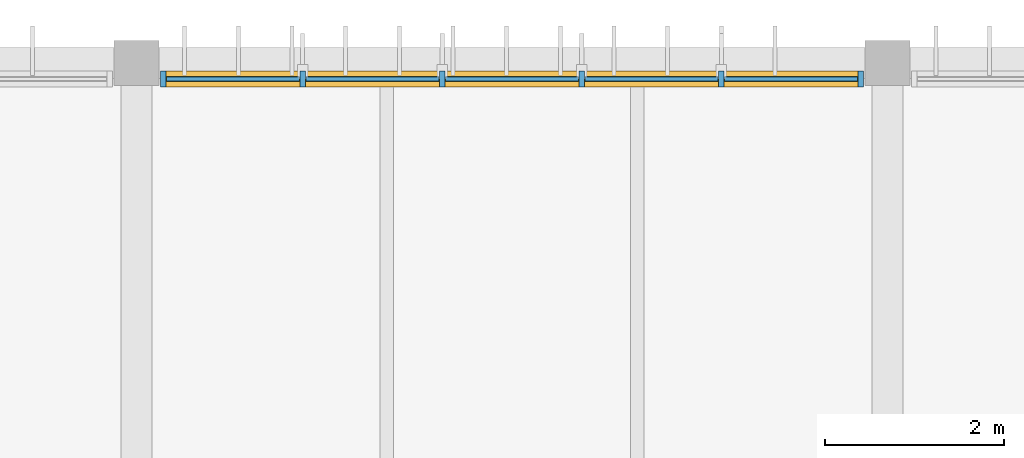
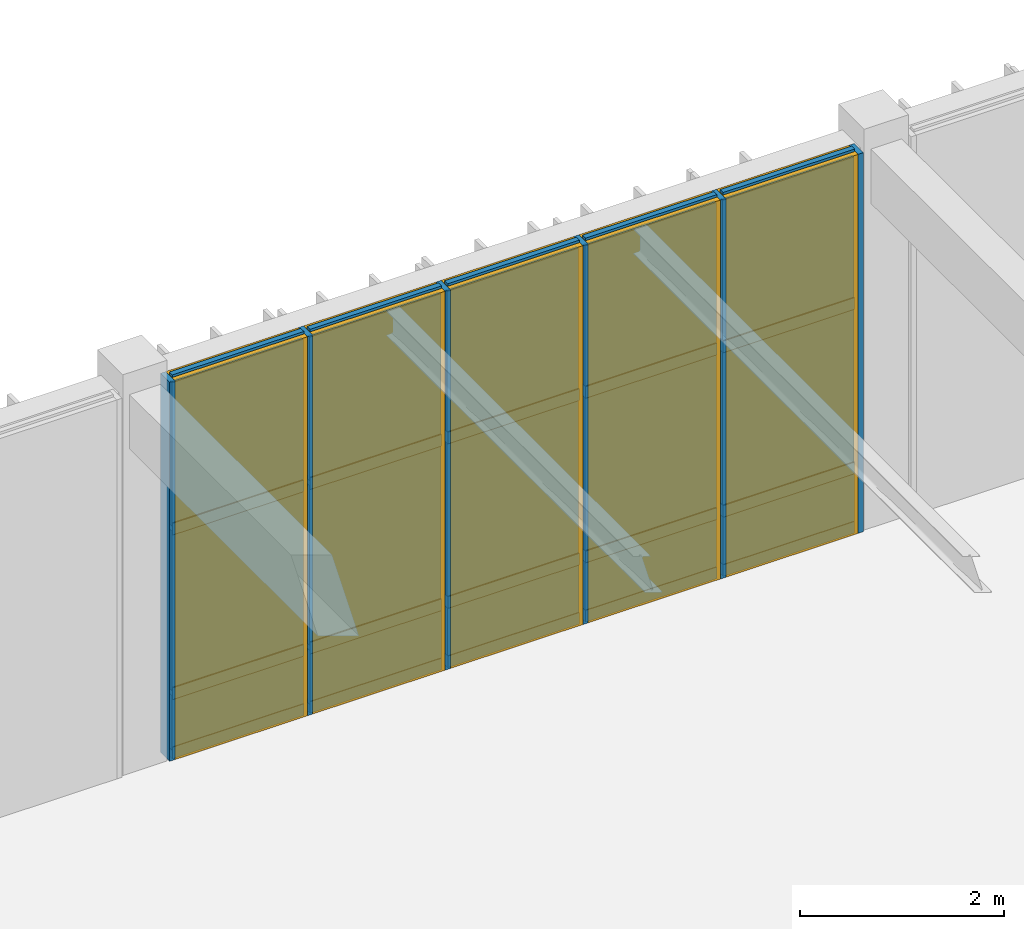
# One storey, part 104 of 122: 26 members, 15 plates, 1 curtain wall.
"""IFC4 building model written with IfcOpenShell, lengths in metres."""

from ifc_helpers import new_model, si_unit, direction, frame, frame_2d, origin, origin_2d, place, context, subcontext, project, spatial, rectangle, extrude, material, layer, layer_set, material_profile, profile_set, type_object, element, aggregate, save


model = new_model("IFC4")

# Units and contexts
model_context = context("Model", 3, precision=1e-05, world=origin(), true_north=direction((0.0, 1.0)))
body_context = subcontext(model_context, "Body", "Model", "MODEL_VIEW")
ifc_project = project(units=[si_unit("LENGTHUNIT", "METRE"), si_unit("AREAUNIT", "SQUARE_METRE"), si_unit("VOLUMEUNIT", "CUBIC_METRE"), si_unit("PLANEANGLEUNIT", "RADIAN"), si_unit("MASSUNIT", "GRAM", prefix="KILO")], contexts=[model_context])

# Member
ifc_material_1 = material(Name="Anodised Bronze Aluminium 6063-T6", Category="aluminium")
ifc_material_profile_1 = material_profile(ifc_material_1, rectangle(XDim=0.06005859375, YDim=0.179931640625, at=origin_2d()), Name="ALU MULLION 60x180")
ifc_profile_set_1 = profile_set([ifc_material_profile_1], Name="Anodised Bronze Aluminium 6063-T6")
member_type_1 = type_object("IfcMemberType", Name="Curtain-Wall Primary Mullion 60x180", PredefinedType="MULLION", material=ifc_profile_set_1)
site_placement = place(None, origin())
building_placement = place(site_placement, origin())
storey_placement = place(building_placement, origin())
member_1_placement = place(storey_placement, frame((134.10009765625, 111.6201171875, 0.0), z_axis=(0.0, 0.0, 1.0), x_axis=(1.0, 0.0, 0.0)))
member_1 = element("IfcMember", 1, at=member_1_placement, type_object=member_type_1, Name="Mullion CWM-01 CW-V3-N3-L00-B2-M01", PredefinedType="MULLION", context=body_context, shape_type="SweptSolid", body=[
    extrude(rectangle(XDim=0.06005859375, YDim=0.179931640625, at=origin_2d()), origin(), (0.0, 0.0, 1.0), 4.5400390625),
])

member_2_placement = place(storey_placement, frame((135.659912109375, 111.6201171875, 0.0), z_axis=(0.0, 0.0, 1.0), x_axis=(1.0, 0.0, 0.0)))
member_2 = element("IfcMember", 2, at=member_2_placement, type_object=member_type_1, Name="Mullion CWM-01 CW-V3-N3-L00-B2-M02", PredefinedType="MULLION", context=body_context, shape_type="SweptSolid", body=[
    extrude(rectangle(XDim=0.06005859375, YDim=0.179931640625, at=origin_2d()), origin(), (0.0, 0.0, 1.0), 4.5400390625),
])

member_3_placement = place(storey_placement, frame((137.219970703125, 111.6201171875, 0.0), z_axis=(0.0, 0.0, 1.0), x_axis=(1.0, 0.0, 0.0)))
member_3 = element("IfcMember", 3, at=member_3_placement, type_object=member_type_1, Name="Mullion CWM-01 CW-V3-N3-L00-B2-M03", PredefinedType="MULLION", context=body_context, shape_type="SweptSolid", body=[
    extrude(rectangle(XDim=0.06005859375, YDim=0.179931640625, at=origin_2d()), origin(), (0.0, 0.0, 1.0), 4.5400390625),
])

member_4_placement = place(storey_placement, frame((138.780029296875, 111.6201171875, 0.0), z_axis=(0.0, 0.0, 1.0), x_axis=(1.0, 0.0, 0.0)))
member_4 = element("IfcMember", 4, at=member_4_placement, type_object=member_type_1, Name="Mullion CWM-01 CW-V3-N3-L00-B2-M04", PredefinedType="MULLION", context=body_context, shape_type="SweptSolid", body=[
    extrude(rectangle(XDim=0.06005859375, YDim=0.179931640625, at=origin_2d()), origin(), (0.0, 0.0, 1.0), 4.5400390625),
])

member_5_placement = place(storey_placement, frame((140.340087890625, 111.6201171875, 0.0), z_axis=(0.0, 0.0, 1.0), x_axis=(1.0, 0.0, 0.0)))
member_5 = element("IfcMember", 5, at=member_5_placement, type_object=member_type_1, Name="Mullion CWM-01 CW-V3-N3-L00-B2-M05", PredefinedType="MULLION", context=body_context, shape_type="SweptSolid", body=[
    extrude(rectangle(XDim=0.06005859375, YDim=0.179931640625, at=origin_2d()), origin(), (0.0, 0.0, 1.0), 4.5400390625),
])

member_6_placement = place(storey_placement, frame((141.89990234375, 111.6201171875, 0.0), z_axis=(0.0, 0.0, 1.0), x_axis=(1.0, 0.0, 0.0)))
member_6 = element("IfcMember", 6, at=member_6_placement, type_object=member_type_1, Name="Mullion CWM-01 CW-V3-N3-L00-B2-M06", PredefinedType="MULLION", context=body_context, shape_type="SweptSolid", body=[
    extrude(rectangle(XDim=0.06005859375, YDim=0.179931640625, at=origin_2d()), origin(), (0.0, 0.0, 1.0), 4.5400390625),
])

ifc_material_profile_2 = material_profile(ifc_material_1, rectangle(XDim=0.06005859375, YDim=0.139892578125, at=origin_2d()), Name="ALU TRANSOM 60x140")
ifc_profile_set_2 = profile_set([ifc_material_profile_2], Name="Anodised Bronze Aluminium 6063-T6")
member_type_2 = type_object("IfcMemberType", Name="Curtain-Wall Transom 60x140", PredefinedType="USERDEFINED", material=ifc_profile_set_2)
member_7_placement = place(storey_placement, frame((134.135009765625, 111.6201171875, 0.0400390625), z_axis=(1.0, 0.0, 0.0), x_axis=(0.0, 1.0, 0.0)))
member_7 = element("IfcMember", 7, at=member_7_placement, type_object=member_type_2, Name="Transom CWT-01 CW-V3-N3-L00-B2-T01.1", ObjectType="TRANSOM", PredefinedType="USERDEFINED", context=body_context, shape_type="SweptSolid", body=[
    extrude(rectangle(XDim=0.06005859375, YDim=0.139892578125, at=origin_2d()), origin(), (0.0, 0.0, 1.0), 1.489990234375),
])

member_8_placement = place(storey_placement, frame((134.135009765625, 111.6201171875, 0.75), z_axis=(1.0, 0.0, 0.0), x_axis=(0.0, 1.0, 0.0)))
member_8 = element("IfcMember", 8, at=member_8_placement, type_object=member_type_2, Name="Transom CWT-01 CW-V3-N3-L00-B2-T01.2", ObjectType="TRANSOM", PredefinedType="USERDEFINED", context=body_context, shape_type="SweptSolid", body=[
    extrude(rectangle(XDim=0.06005859375, YDim=0.139892578125, at=origin_2d()), origin(), (0.0, 0.0, 1.0), 1.489990234375),
])

member_9_placement = place(storey_placement, frame((134.135009765625, 111.6201171875, 2.720703125), z_axis=(1.0, 0.0, 0.0), x_axis=(0.0, 1.0, 0.0)))
member_9 = element("IfcMember", 9, at=member_9_placement, type_object=member_type_2, Name="Transom CWT-01 CW-V3-N3-L00-B2-T01.3", ObjectType="TRANSOM", PredefinedType="USERDEFINED", context=body_context, shape_type="SweptSolid", body=[
    extrude(rectangle(XDim=0.06005859375, YDim=0.139892578125, at=origin_2d()), origin(), (0.0, 0.0, 1.0), 1.489990234375),
])

member_10_placement = place(storey_placement, frame((134.135009765625, 111.6201171875, 4.5), z_axis=(1.0, 0.0, 0.0), x_axis=(0.0, 1.0, 0.0)))
member_10 = element("IfcMember", 10, at=member_10_placement, type_object=member_type_2, Name="Transom CWT-01 CW-V3-N3-L00-B2-T01.4", ObjectType="TRANSOM", PredefinedType="USERDEFINED", context=body_context, shape_type="SweptSolid", body=[
    extrude(rectangle(XDim=0.06005859375, YDim=0.139892578125, at=origin_2d()), origin(), (0.0, 0.0, 1.0), 1.489990234375),
])

member_11_placement = place(storey_placement, frame((135.695068359375, 111.6201171875, 0.0400390625), z_axis=(1.0, 0.0, 0.0), x_axis=(0.0, 1.0, 0.0)))
member_11 = element("IfcMember", 11, at=member_11_placement, type_object=member_type_2, Name="Transom CWT-01 CW-V3-N3-L00-B2-T02.1", ObjectType="TRANSOM", PredefinedType="USERDEFINED", context=body_context, shape_type="SweptSolid", body=[
    extrude(rectangle(XDim=0.06005859375, YDim=0.139892578125, at=origin_2d()), origin(), (0.0, 0.0, 1.0), 1.489990234375),
])

member_12_placement = place(storey_placement, frame((135.695068359375, 111.6201171875, 0.75), z_axis=(1.0, 0.0, 0.0), x_axis=(0.0, 1.0, 0.0)))
member_12 = element("IfcMember", 12, at=member_12_placement, type_object=member_type_2, Name="Transom CWT-01 CW-V3-N3-L00-B2-T02.2", ObjectType="TRANSOM", PredefinedType="USERDEFINED", context=body_context, shape_type="SweptSolid", body=[
    extrude(rectangle(XDim=0.06005859375, YDim=0.139892578125, at=origin_2d()), origin(), (0.0, 0.0, 1.0), 1.489990234375),
])

member_13_placement = place(storey_placement, frame((135.695068359375, 111.6201171875, 2.720703125), z_axis=(1.0, 0.0, 0.0), x_axis=(0.0, 1.0, 0.0)))
member_13 = element("IfcMember", 13, at=member_13_placement, type_object=member_type_2, Name="Transom CWT-01 CW-V3-N3-L00-B2-T02.3", ObjectType="TRANSOM", PredefinedType="USERDEFINED", context=body_context, shape_type="SweptSolid", body=[
    extrude(rectangle(XDim=0.06005859375, YDim=0.139892578125, at=origin_2d()), origin(), (0.0, 0.0, 1.0), 1.489990234375),
])

member_14_placement = place(storey_placement, frame((135.695068359375, 111.6201171875, 4.5), z_axis=(1.0, 0.0, 0.0), x_axis=(0.0, 1.0, 0.0)))
member_14 = element("IfcMember", 14, at=member_14_placement, type_object=member_type_2, Name="Transom CWT-01 CW-V3-N3-L00-B2-T02.4", ObjectType="TRANSOM", PredefinedType="USERDEFINED", context=body_context, shape_type="SweptSolid", body=[
    extrude(rectangle(XDim=0.06005859375, YDim=0.139892578125, at=origin_2d()), origin(), (0.0, 0.0, 1.0), 1.489990234375),
])

member_15_placement = place(storey_placement, frame((137.2548828125, 111.6201171875, 0.0400390625), z_axis=(1.0, 0.0, 0.0), x_axis=(0.0, 1.0, 0.0)))
member_15 = element("IfcMember", 15, at=member_15_placement, type_object=member_type_2, Name="Transom CWT-01 CW-V3-N3-L00-B2-T03.1", ObjectType="TRANSOM", PredefinedType="USERDEFINED", context=body_context, shape_type="SweptSolid", body=[
    extrude(rectangle(XDim=0.06005859375, YDim=0.139892578125, at=origin_2d()), origin(), (0.0, 0.0, 1.0), 1.490234375),
])

member_16_placement = place(storey_placement, frame((137.2548828125, 111.6201171875, 0.75), z_axis=(1.0, 0.0, 0.0), x_axis=(0.0, 1.0, 0.0)))
member_16 = element("IfcMember", 16, at=member_16_placement, type_object=member_type_2, Name="Transom CWT-01 CW-V3-N3-L00-B2-T03.2", ObjectType="TRANSOM", PredefinedType="USERDEFINED", context=body_context, shape_type="SweptSolid", body=[
    extrude(rectangle(XDim=0.06005859375, YDim=0.139892578125, at=origin_2d()), origin(), (0.0, 0.0, 1.0), 1.490234375),
])

member_17_placement = place(storey_placement, frame((137.2548828125, 111.6201171875, 2.720703125), z_axis=(1.0, 0.0, 0.0), x_axis=(0.0, 1.0, 0.0)))
member_17 = element("IfcMember", 17, at=member_17_placement, type_object=member_type_2, Name="Transom CWT-01 CW-V3-N3-L00-B2-T03.3", ObjectType="TRANSOM", PredefinedType="USERDEFINED", context=body_context, shape_type="SweptSolid", body=[
    extrude(rectangle(XDim=0.06005859375, YDim=0.139892578125, at=origin_2d()), origin(), (0.0, 0.0, 1.0), 1.490234375),
])

member_18_placement = place(storey_placement, frame((137.2548828125, 111.6201171875, 4.5), z_axis=(1.0, 0.0, 0.0), x_axis=(0.0, 1.0, 0.0)))
member_18 = element("IfcMember", 18, at=member_18_placement, type_object=member_type_2, Name="Transom CWT-01 CW-V3-N3-L00-B2-T03.4", ObjectType="TRANSOM", PredefinedType="USERDEFINED", context=body_context, shape_type="SweptSolid", body=[
    extrude(rectangle(XDim=0.06005859375, YDim=0.139892578125, at=origin_2d()), origin(), (0.0, 0.0, 1.0), 1.490234375),
])

member_19_placement = place(storey_placement, frame((138.81494140625, 111.6201171875, 0.0400390625), z_axis=(1.0, 0.0, 0.0), x_axis=(0.0, 1.0, 0.0)))
member_19 = element("IfcMember", 19, at=member_19_placement, type_object=member_type_2, Name="Transom CWT-01 CW-V3-N3-L00-B2-T04.1", ObjectType="TRANSOM", PredefinedType="USERDEFINED", context=body_context, shape_type="SweptSolid", body=[
    extrude(rectangle(XDim=0.06005859375, YDim=0.139892578125, at=origin_2d()), origin(), (0.0, 0.0, 1.0), 1.489990234375),
])

member_20_placement = place(storey_placement, frame((138.81494140625, 111.6201171875, 0.75), z_axis=(1.0, 0.0, 0.0), x_axis=(0.0, 1.0, 0.0)))
member_20 = element("IfcMember", 20, at=member_20_placement, type_object=member_type_2, Name="Transom CWT-01 CW-V3-N3-L00-B2-T04.2", ObjectType="TRANSOM", PredefinedType="USERDEFINED", context=body_context, shape_type="SweptSolid", body=[
    extrude(rectangle(XDim=0.06005859375, YDim=0.139892578125, at=origin_2d()), origin(), (0.0, 0.0, 1.0), 1.489990234375),
])

member_21_placement = place(storey_placement, frame((138.81494140625, 111.6201171875, 2.720703125), z_axis=(1.0, 0.0, 0.0), x_axis=(0.0, 1.0, 0.0)))
member_21 = element("IfcMember", 21, at=member_21_placement, type_object=member_type_2, Name="Transom CWT-01 CW-V3-N3-L00-B2-T04.3", ObjectType="TRANSOM", PredefinedType="USERDEFINED", context=body_context, shape_type="SweptSolid", body=[
    extrude(rectangle(XDim=0.06005859375, YDim=0.139892578125, at=origin_2d()), origin(), (0.0, 0.0, 1.0), 1.489990234375),
])

member_22_placement = place(storey_placement, frame((138.81494140625, 111.6201171875, 4.5), z_axis=(1.0, 0.0, 0.0), x_axis=(0.0, 1.0, 0.0)))
member_22 = element("IfcMember", 22, at=member_22_placement, type_object=member_type_2, Name="Transom CWT-01 CW-V3-N3-L00-B2-T04.4", ObjectType="TRANSOM", PredefinedType="USERDEFINED", context=body_context, shape_type="SweptSolid", body=[
    extrude(rectangle(XDim=0.06005859375, YDim=0.139892578125, at=origin_2d()), origin(), (0.0, 0.0, 1.0), 1.489990234375),
])

member_23_placement = place(storey_placement, frame((140.375, 111.6201171875, 0.0400390625), z_axis=(1.0, 0.0, 0.0), x_axis=(0.0, 1.0, 0.0)))
member_23 = element("IfcMember", 23, at=member_23_placement, type_object=member_type_2, Name="Transom CWT-01 CW-V3-N3-L00-B2-T05.1", ObjectType="TRANSOM", PredefinedType="USERDEFINED", context=body_context, shape_type="SweptSolid", body=[
    extrude(rectangle(XDim=0.06005859375, YDim=0.139892578125, at=origin_2d()), origin(), (0.0, 0.0, 1.0), 1.489990234375),
])

member_24_placement = place(storey_placement, frame((140.375, 111.6201171875, 0.75), z_axis=(1.0, 0.0, 0.0), x_axis=(0.0, 1.0, 0.0)))
member_24 = element("IfcMember", 24, at=member_24_placement, type_object=member_type_2, Name="Transom CWT-01 CW-V3-N3-L00-B2-T05.2", ObjectType="TRANSOM", PredefinedType="USERDEFINED", context=body_context, shape_type="SweptSolid", body=[
    extrude(rectangle(XDim=0.06005859375, YDim=0.139892578125, at=origin_2d()), origin(), (0.0, 0.0, 1.0), 1.489990234375),
])

member_25_placement = place(storey_placement, frame((140.375, 111.6201171875, 2.720703125), z_axis=(1.0, 0.0, 0.0), x_axis=(0.0, 1.0, 0.0)))
member_25 = element("IfcMember", 25, at=member_25_placement, type_object=member_type_2, Name="Transom CWT-01 CW-V3-N3-L00-B2-T05.3", ObjectType="TRANSOM", PredefinedType="USERDEFINED", context=body_context, shape_type="SweptSolid", body=[
    extrude(rectangle(XDim=0.06005859375, YDim=0.139892578125, at=origin_2d()), origin(), (0.0, 0.0, 1.0), 1.489990234375),
])

member_26_placement = place(storey_placement, frame((140.375, 111.6201171875, 4.5), z_axis=(1.0, 0.0, 0.0), x_axis=(0.0, 1.0, 0.0)))
member_26 = element("IfcMember", 26, at=member_26_placement, type_object=member_type_2, Name="Transom CWT-01 CW-V3-N3-L00-B2-T05.4", ObjectType="TRANSOM", PredefinedType="USERDEFINED", context=body_context, shape_type="SweptSolid", body=[
    extrude(rectangle(XDim=0.06005859375, YDim=0.139892578125, at=origin_2d()), origin(), (0.0, 0.0, 1.0), 1.489990234375),
])

# Plate
ifc_material_2 = material(Name="Insulated Bronze Aluminium Spandrel Panel", Category="aluminium")
ifc_layer_1 = layer(ifc_material_2, 0.050048828125, Name="Insulated Bronze Aluminium Spandrel Panel")
ifc_layer_set_1 = layer_set([ifc_layer_1], Name="Insulated Bronze Aluminium Spandrel Panel")
plate_type_1 = type_object("IfcPlateType", Name="Insulated Anodised Aluminium Spandrel Cassette 50", PredefinedType="CURTAIN_PANEL", material=ifc_layer_set_1)
plate_1_placement = place(storey_placement, frame((134.8798828125, 111.6201171875, 0.070068359375), z_axis=(0.0, 0.0, 1.0), x_axis=(1.0, 0.0, 0.0)))
plate_1 = element("IfcPlate", 27, at=plate_1_placement, type_object=plate_type_1, Name="Curtain Panel CWP-03 CW-V3-N3-L00-B2-P01.1", PredefinedType="CURTAIN_PANEL", context=body_context, shape_type="SweptSolid", body=[
    extrude(rectangle(XDim=1.489990234375, YDim=0.050048828125, at=origin_2d()), origin(), (0.0, 0.0, 1.0), 0.64990234375),
])

plate_2_placement = place(storey_placement, frame((136.43994140625, 111.6201171875, 0.070068359375), z_axis=(0.0, 0.0, 1.0), x_axis=(1.0, 0.0, 0.0)))
plate_2 = element("IfcPlate", 28, at=plate_2_placement, type_object=plate_type_1, Name="Curtain Panel CWP-03 CW-V3-N3-L00-B2-P02.1", PredefinedType="CURTAIN_PANEL", context=body_context, shape_type="SweptSolid", body=[
    extrude(rectangle(XDim=1.489990234375, YDim=0.050048828125, at=origin_2d()), origin(), (0.0, 0.0, 1.0), 0.64990234375),
])

plate_3_placement = place(storey_placement, frame((138.0, 111.6201171875, 0.070068359375), z_axis=(0.0, 0.0, 1.0), x_axis=(1.0, 0.0, 0.0)))
plate_3 = element("IfcPlate", 29, at=plate_3_placement, type_object=plate_type_1, Name="Curtain Panel CWP-03 CW-V3-N3-L00-B2-P03.1", PredefinedType="CURTAIN_PANEL", context=body_context, shape_type="SweptSolid", body=[
    extrude(rectangle(XDim=1.489990234375, YDim=0.050048828125, at=origin_2d()), origin(), (0.0, 0.0, 1.0), 0.64990234375),
])

plate_4_placement = place(storey_placement, frame((139.56005859375, 111.6201171875, 0.070068359375), z_axis=(0.0, 0.0, 1.0), x_axis=(1.0, 0.0, 0.0)))
plate_4 = element("IfcPlate", 30, at=plate_4_placement, type_object=plate_type_1, Name="Curtain Panel CWP-03 CW-V3-N3-L00-B2-P04.1", PredefinedType="CURTAIN_PANEL", context=body_context, shape_type="SweptSolid", body=[
    extrude(rectangle(XDim=1.489990234375, YDim=0.050048828125, at=origin_2d()), origin(), (0.0, 0.0, 1.0), 0.64990234375),
])

plate_5_placement = place(storey_placement, frame((141.1201171875, 111.6201171875, 0.070068359375), z_axis=(0.0, 0.0, 1.0), x_axis=(1.0, 0.0, 0.0)))
plate_5 = element("IfcPlate", 31, at=plate_5_placement, type_object=plate_type_1, Name="Curtain Panel CWP-03 CW-V3-N3-L00-B2-P05.1", PredefinedType="CURTAIN_PANEL", context=body_context, shape_type="SweptSolid", body=[
    extrude(rectangle(XDim=1.489990234375, YDim=0.050048828125, at=origin_2d()), origin(), (0.0, 0.0, 1.0), 0.64990234375),
])

ifc_material_3 = material(Name="Solar-Control Tempered Double Glazing", Category="glass")
ifc_layer_2 = layer(ifc_material_3, 0.0380859375, Name="Solar-Control Tempered Double Glazing")
ifc_layer_set_2 = layer_set([ifc_layer_2], Name="Solar-Control Tempered Double Glazing")
plate_type_2 = type_object("IfcPlateType", Name="Solar-Control Vision Glazing Unit 38", PredefinedType="CURTAIN_PANEL", material=ifc_layer_set_2)
plate_6_placement = place(storey_placement, frame((134.8798828125, 111.6201171875, 0.77978515625), z_axis=(0.0, 0.0, 1.0), x_axis=(1.0, 0.0, 0.0)))
plate_6 = element("IfcPlate", 32, at=plate_6_placement, type_object=plate_type_2, Name="Curtain Panel CWP-02 CW-V3-N3-L00-B2-P01.2", PredefinedType="CURTAIN_PANEL", context=body_context, shape_type="SweptSolid", body=[
    extrude(rectangle(XDim=1.489990234375, YDim=0.0380859375, at=origin_2d()), origin(), (0.0, 0.0, 1.0), 1.910888671875),
])

plate_7_placement = place(storey_placement, frame((134.8798828125, 111.6201171875, 2.750732421875), z_axis=(0.0, 0.0, 1.0), x_axis=(1.0, 0.0, 0.0)))
plate_7 = element("IfcPlate", 33, at=plate_7_placement, type_object=plate_type_2, Name="Curtain Panel CWP-02 CW-V3-N3-L00-B2-P01.3", PredefinedType="CURTAIN_PANEL", context=body_context, shape_type="SweptSolid", body=[
    extrude(rectangle(XDim=1.489990234375, YDim=0.0380859375, at=origin_2d()), origin(), (0.0, 0.0, 1.0), 1.71923828125),
])

plate_8_placement = place(storey_placement, frame((136.43994140625, 111.6201171875, 0.77978515625), z_axis=(0.0, 0.0, 1.0), x_axis=(1.0, 0.0, 0.0)))
plate_8 = element("IfcPlate", 34, at=plate_8_placement, type_object=plate_type_2, Name="Curtain Panel CWP-02 CW-V3-N3-L00-B2-P02.2", PredefinedType="CURTAIN_PANEL", context=body_context, shape_type="SweptSolid", body=[
    extrude(rectangle(XDim=1.489990234375, YDim=0.0380859375, at=origin_2d()), origin(), (0.0, 0.0, 1.0), 1.910888671875),
])

plate_9_placement = place(storey_placement, frame((136.43994140625, 111.6201171875, 2.750732421875), z_axis=(0.0, 0.0, 1.0), x_axis=(1.0, 0.0, 0.0)))
plate_9 = element("IfcPlate", 35, at=plate_9_placement, type_object=plate_type_2, Name="Curtain Panel CWP-02 CW-V3-N3-L00-B2-P02.3", PredefinedType="CURTAIN_PANEL", context=body_context, shape_type="SweptSolid", body=[
    extrude(rectangle(XDim=1.489990234375, YDim=0.0380859375, at=origin_2d()), origin(), (0.0, 0.0, 1.0), 1.71923828125),
])

plate_10_placement = place(storey_placement, frame((138.0, 111.6201171875, 0.77978515625), z_axis=(0.0, 0.0, 1.0), x_axis=(1.0, 0.0, 0.0)))
plate_10 = element("IfcPlate", 36, at=plate_10_placement, type_object=plate_type_2, Name="Curtain Panel CWP-02 CW-V3-N3-L00-B2-P03.2", PredefinedType="CURTAIN_PANEL", context=body_context, shape_type="SweptSolid", body=[
    extrude(rectangle(XDim=1.489990234375, YDim=0.0380859375, at=origin_2d()), origin(), (0.0, 0.0, 1.0), 1.910888671875),
])

plate_11_placement = place(storey_placement, frame((138.0, 111.6201171875, 2.750732421875), z_axis=(0.0, 0.0, 1.0), x_axis=(1.0, 0.0, 0.0)))
plate_11 = element("IfcPlate", 37, at=plate_11_placement, type_object=plate_type_2, Name="Curtain Panel CWP-02 CW-V3-N3-L00-B2-P03.3", PredefinedType="CURTAIN_PANEL", context=body_context, shape_type="SweptSolid", body=[
    extrude(rectangle(XDim=1.489990234375, YDim=0.0380859375, at=origin_2d()), origin(), (0.0, 0.0, 1.0), 1.71923828125),
])

plate_12_placement = place(storey_placement, frame((139.56005859375, 111.6201171875, 0.77978515625), z_axis=(0.0, 0.0, 1.0), x_axis=(1.0, 0.0, 0.0)))
plate_12 = element("IfcPlate", 38, at=plate_12_placement, type_object=plate_type_2, Name="Curtain Panel CWP-02 CW-V3-N3-L00-B2-P04.2", PredefinedType="CURTAIN_PANEL", context=body_context, shape_type="SweptSolid", body=[
    extrude(rectangle(XDim=1.489990234375, YDim=0.0380859375, at=origin_2d()), origin(), (0.0, 0.0, 1.0), 1.910888671875),
])

plate_13_placement = place(storey_placement, frame((139.56005859375, 111.6201171875, 2.750732421875), z_axis=(0.0, 0.0, 1.0), x_axis=(1.0, 0.0, 0.0)))
plate_13 = element("IfcPlate", 39, at=plate_13_placement, type_object=plate_type_2, Name="Curtain Panel CWP-02 CW-V3-N3-L00-B2-P04.3", PredefinedType="CURTAIN_PANEL", context=body_context, shape_type="SweptSolid", body=[
    extrude(rectangle(XDim=1.489990234375, YDim=0.0380859375, at=origin_2d()), origin(), (0.0, 0.0, 1.0), 1.71923828125),
])

plate_14_placement = place(storey_placement, frame((141.1201171875, 111.6201171875, 0.77978515625), z_axis=(0.0, 0.0, 1.0), x_axis=(1.0, 0.0, 0.0)))
plate_14 = element("IfcPlate", 40, at=plate_14_placement, type_object=plate_type_2, Name="Curtain Panel CWP-02 CW-V3-N3-L00-B2-P05.2", PredefinedType="CURTAIN_PANEL", context=body_context, shape_type="SweptSolid", body=[
    extrude(rectangle(XDim=1.489990234375, YDim=0.0380859375, at=origin_2d()), origin(), (0.0, 0.0, 1.0), 1.910888671875),
])

plate_15_placement = place(storey_placement, frame((141.1201171875, 111.6201171875, 2.750732421875), z_axis=(0.0, 0.0, 1.0), x_axis=(1.0, 0.0, 0.0)))
plate_15 = element("IfcPlate", 41, at=plate_15_placement, type_object=plate_type_2, Name="Curtain Panel CWP-02 CW-V3-N3-L00-B2-P05.3", PredefinedType="CURTAIN_PANEL", context=body_context, shape_type="SweptSolid", body=[
    extrude(rectangle(XDim=1.489990234375, YDim=0.0380859375, at=origin_2d()), origin(), (0.0, 0.0, 1.0), 1.71923828125),
])

# Site, building, storey
site = spatial("IfcSite", under=ifc_project, at=site_placement, CompositionType="ELEMENT")
building = spatial("IfcBuilding", under=site, at=building_placement, Name="Tazoul Stagehouse", CompositionType="ELEMENT")
storey = spatial("IfcBuildingStorey", under=building, at=storey_placement, Name="L00", CompositionType="ELEMENT", Elevation=0.0)

# Curtain wall
curtain_wall_type = type_object("IfcCurtainWallType", Name="Rehearsal North Daylight Curtain Wall", PredefinedType="NOTDEFINED", material=ifc_material_1)
curtain_wall_placement = place(storey_placement, frame((134.10009765625, 111.6201171875, 0.0), z_axis=(0.0, 0.0, 1.0), x_axis=(1.0, 0.0, 0.0)))
curtain_wall = element("IfcCurtainWall", 42, at=curtain_wall_placement, inside=storey, type_object=curtain_wall_type, Name="L00 Curtain Wall CW-04 (CW-V3-N3-L00-B2)", PredefinedType="NOTDEFINED", context=body_context, shape_type="SweptSolid", body=[
    extrude(rectangle(XDim=7.7998046875, YDim=0.179931640625, at=frame_2d((3.89990234375, 0.0))), origin(), (0.0, 0.0, 1.0), 4.5400390625),
])

aggregate(curtain_wall, [member_1, member_2, member_3, member_4, member_5, member_6, member_7, member_8, member_9, member_10, plate_1, plate_6, plate_7, member_11, member_12, member_13, member_14, plate_2, plate_8, plate_9, member_15, member_16, member_17, member_18, plate_3, plate_10, plate_11, member_19, member_20, member_21, member_22, plate_4, plate_12, plate_13, member_23, member_24, member_25, member_26, plate_5, plate_14, plate_15])

save(model, "model.ifc")
